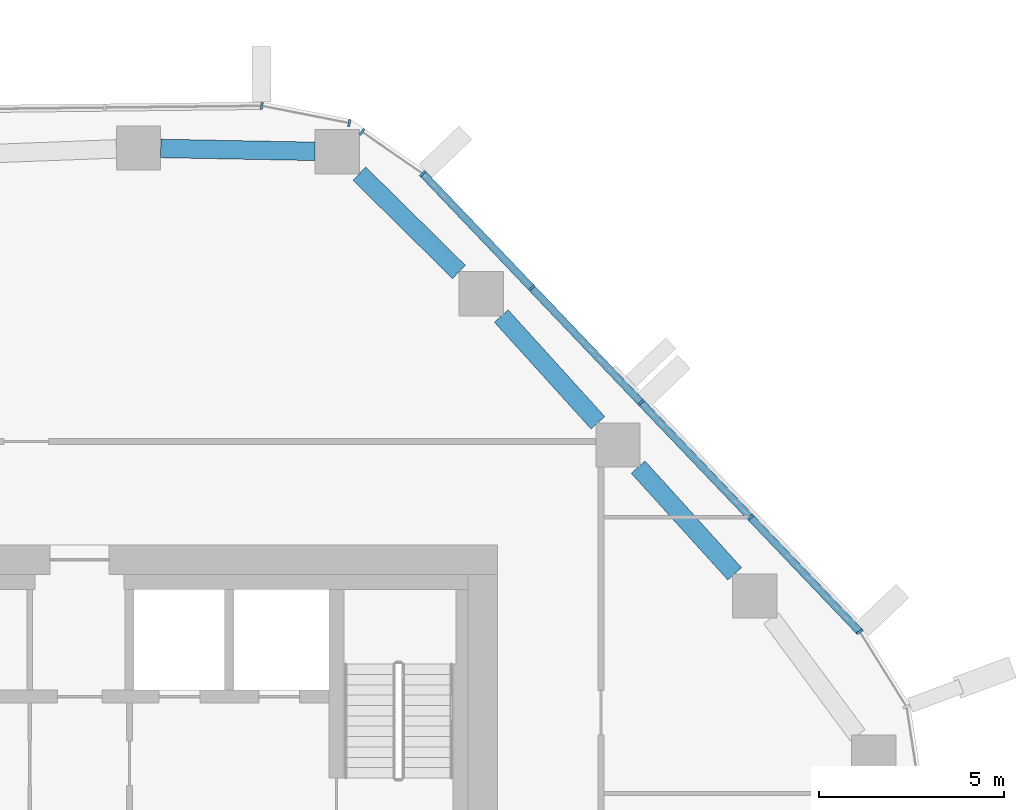
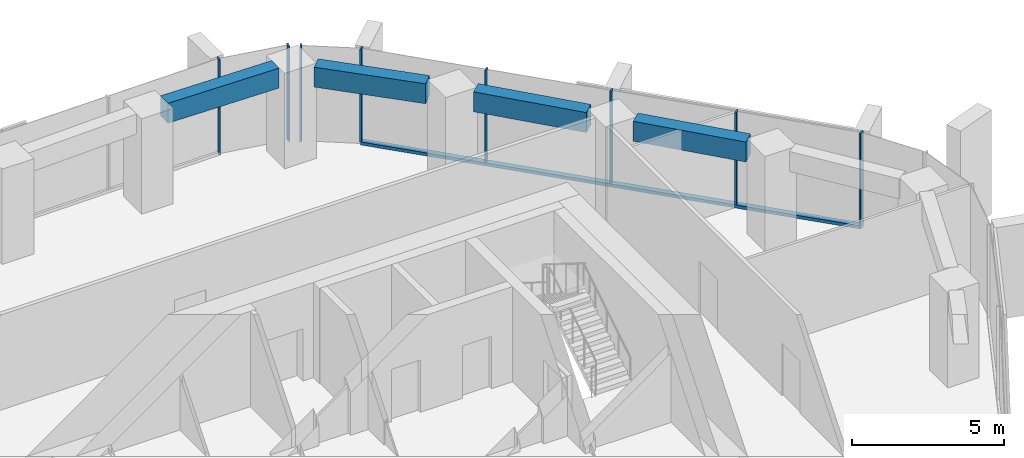
# One storey, part 6 of 17: 9 members, 4 beams, 4 elements without a shape of their own.
"""IFC4 building model written with IfcOpenShell, lengths in metres."""

from ifc_helpers import new_model, si_unit, direction, frame, origin, origin_2d, place, context, subcontext, project, spatial, rectangle, extrude, material, layer, layer_set, material_profile, profile_set, type_object, element, aggregate, save


model = new_model("IFC4")

# Units and contexts
model_context = context("Model", 3, precision=1e-05, world=origin(), true_north=direction((0.0, 1.0)))
body_context = subcontext(model_context, "Body", "Model", "MODEL_VIEW")
ifc_project = project(units=[si_unit("LENGTHUNIT", "METRE"), si_unit("AREAUNIT", "SQUARE_METRE"), si_unit("VOLUMEUNIT", "CUBIC_METRE"), si_unit("PLANEANGLEUNIT", "RADIAN"), si_unit("MASSUNIT", "GRAM", prefix="KILO")], contexts=[model_context])

# Site, building, storey
site_placement = place(None, origin())
site = spatial("IfcSite", under=ifc_project, at=site_placement, CompositionType="ELEMENT")
building_placement = place(site_placement, origin())
building = spatial("IfcBuilding", under=site, at=building_placement, Name="Dongbaek Canopy Tower", CompositionType="ELEMENT")
storey_placement = place(building_placement, frame((0.0, 0.0, 211.39990234375)))
storey = spatial("IfcBuildingStorey", under=building, at=storey_placement, Name="L44", CompositionType="ELEMENT", Elevation=211.39990234375)

# Curtain wall, member
ifc_material_1 = material(Name="Aluminium 6063-T6 pale anodised", Category="aluminium")
ifc_layer = layer(ifc_material_1, 0.199951171875)
ifc_layer_set = layer_set([ifc_layer], Name="CW-1 unitised tower curtain wall")
curtain_wall_type = type_object("IfcCurtainWallType", Name="CW-1 unitised tower curtain wall", PredefinedType="NOTDEFINED", material=ifc_layer_set)
curtain_wall_1_placement = place(storey_placement, origin())
curtain_wall_1 = element("IfcCurtainWall", 1, at=curtain_wall_1_placement, inside=storey, type_object=curtain_wall_type, Name="CW-1 curtain wall K0.1", PredefinedType="NOTDEFINED")
ifc_material_2 = material(Name="Aluminium 6063-T6 pale anodised", Category="aluminium")
ifc_material_profile_1 = material_profile(ifc_material_2, rectangle(XDim=0.199951171875, YDim=0.06005859375, at=origin_2d()), Name="CW-1 mullion 60 x 200")
ifc_profile_set_1 = profile_set([ifc_material_profile_1], Name="Aluminium 6063-T6 pale anodised")
member_type_1 = type_object("IfcMemberType", Name="CW-1 mullion 60 x 200", PredefinedType="MULLION", material=ifc_profile_set_1)
member_1_placement = place(storey_placement, frame((23.796630859375, 8.655517578125, 0.0), z_axis=(0.0, 0.0, 1.0), x_axis=(0.847881930828, 0.530185091619, 0.0)))
member_1 = element("IfcMember", 2, at=member_1_placement, type_object=member_type_1, Name="CW-1 mullion K0.1.4", PredefinedType="MULLION", context=body_context, shape_type="SweptSolid", body=[
    extrude(rectangle(XDim=0.199951171875, YDim=0.06005859375, at=origin_2d()), origin(), (0.0, 0.0, 1.0), 3.820068359375),
])
aggregate(curtain_wall_1, [member_1])

# Curtain wall, members
curtain_wall_2_placement = place(storey_placement, origin())
curtain_wall_2 = element("IfcCurtainWall", 3, at=curtain_wall_2_placement, inside=storey, type_object=curtain_wall_type, Name="CW-1 curtain wall F0.1", PredefinedType="NOTDEFINED")
member_2_placement = place(storey_placement, frame((20.845703125, 11.7490234375, 0.1201171875), z_axis=(0.0, 0.0, 1.0), x_axis=(0.723570657173, 0.690250319869, 0.0)))
member_2 = element("IfcMember", 4, at=member_2_placement, type_object=member_type_1, Name="CW-1 mullion F0.1.2", PredefinedType="MULLION", context=body_context, shape_type="SweptSolid", body=[
    extrude(rectangle(XDim=0.199951171875, YDim=0.06005859375, at=origin_2d()), origin(), (0.0, 0.0, 1.0), 3.699951171875),
])
member_3_placement = place(storey_placement, frame((17.887451171875, 14.849853515625, 0.1201171875), z_axis=(0.0, 0.0, 1.0), x_axis=(0.723570657173, 0.690250319869, 0.0)))
member_3 = element("IfcMember", 5, at=member_3_placement, type_object=member_type_1, Name="CW-1 mullion F0.1.3", PredefinedType="MULLION", context=body_context, shape_type="SweptSolid", body=[
    extrude(rectangle(XDim=0.199951171875, YDim=0.06005859375, at=origin_2d()), origin(), (0.0, 0.0, 1.0), 3.699951171875),
])
member_4_placement = place(storey_placement, frame((14.929443359375, 17.95068359375, 0.1201171875), z_axis=(0.0, 0.0, 1.0), x_axis=(0.723570657173, 0.690250319869, 0.0)))
member_4 = element("IfcMember", 6, at=member_4_placement, type_object=member_type_1, Name="CW-1 mullion F0.1.4", PredefinedType="MULLION", context=body_context, shape_type="SweptSolid", body=[
    extrude(rectangle(XDim=0.199951171875, YDim=0.06005859375, at=origin_2d()), origin(), (0.0, 0.0, 1.0), 3.699951171875),
])
member_5_placement = place(storey_placement, frame((11.978515625, 21.044189453125, 0.1201171875), z_axis=(0.0, 0.0, 1.0), x_axis=(0.723570657173, 0.690250319869, 0.0)))
member_5 = element("IfcMember", 7, at=member_5_placement, type_object=member_type_1, Name="CW-1 mullion F0.1.5", PredefinedType="MULLION", context=body_context, shape_type="SweptSolid", body=[
    extrude(rectangle(XDim=0.199951171875, YDim=0.06005859375, at=origin_2d()), origin(), (0.0, 0.0, 1.0), 3.699951171875),
])

# Curtain wall, member
curtain_wall_3_placement = place(storey_placement, origin())
curtain_wall_3 = element("IfcCurtainWall", 8, at=curtain_wall_3_placement, inside=storey, type_object=curtain_wall_type, Name="CW-1 curtain wall K1.1a", PredefinedType="NOTDEFINED")
member_6_placement = place(storey_placement, frame((10.33984375, 22.1748046875, 0.0), z_axis=(0.0, 0.0, 1.0), x_axis=(0.567897989586, 0.8230989451, 0.0)))
member_6 = element("IfcMember", 9, at=member_6_placement, type_object=member_type_1, Name="CW-1 mullion K1.1a.2", PredefinedType="MULLION", context=body_context, shape_type="SweptSolid", body=[
    extrude(rectangle(XDim=0.199951171875, YDim=0.06005859375, at=origin_2d()), origin(), (0.0, 0.0, 1.0), 3.820068359375),
])
aggregate(curtain_wall_3, [member_6])

# Curtain wall, members
curtain_wall_4_placement = place(storey_placement, origin())
curtain_wall_4 = element("IfcCurtainWall", 10, at=curtain_wall_4_placement, inside=storey, type_object=curtain_wall_type, Name="CW-1 curtain wall K1.1b", PredefinedType="NOTDEFINED")
member_7_placement = place(storey_placement, frame((9.993408203125, 22.413818359375, 0.0), z_axis=(0.0, 0.0, 1.0), x_axis=(0.192713471895, 0.981255072726, 0.0)))
member_7 = element("IfcMember", 11, at=member_7_placement, type_object=member_type_1, Name="CW-1 mullion K1.1b.1", PredefinedType="MULLION", context=body_context, shape_type="SweptSolid", body=[
    extrude(rectangle(XDim=0.199951171875, YDim=0.06005859375, at=origin_2d()), origin(), (0.0, 0.0, 1.0), 3.820068359375),
])
member_8_placement = place(storey_placement, frame((7.626708984375, 22.878662109375, 0.0), z_axis=(0.0, 0.0, 1.0), x_axis=(0.192713471895, 0.981255072726, 0.0)))
member_8 = element("IfcMember", 12, at=member_8_placement, type_object=member_type_1, Name="CW-1 mullion K1.1b.2", PredefinedType="MULLION", context=body_context, shape_type="SweptSolid", body=[
    extrude(rectangle(XDim=0.199951171875, YDim=0.06005859375, at=origin_2d()), origin(), (0.0, 0.0, 1.0), 3.820068359375),
])
aggregate(curtain_wall_4, [member_7, member_8])

# Member
ifc_material_3 = material(Name="Aluminium 6063-T6 pale anodised", Category="aluminium")
ifc_material_profile_2 = material_profile(ifc_material_3, rectangle(XDim=0.199951171875, YDim=0.1201171875, at=origin_2d()), Name="CW-1 transom 120 x 200")
ifc_profile_set_2 = profile_set([ifc_material_profile_2], Name="Aluminium 6063-T6 pale anodised")
member_type_2 = type_object("IfcMemberType", Name="CW-1 transom 120 x 200", PredefinedType="USERDEFINED", material=ifc_profile_set_2)
member_9_placement = place(storey_placement, frame((23.796630859375, 8.655517578125, 0.06005859375), z_axis=(-0.69024848922, 0.723572403516, 0.0), x_axis=(-0.723572403516, -0.69024848922, 0.0)))
member_9 = element("IfcMember", 13, at=member_9_placement, type_object=member_type_2, Name="CW-1 transom F0.1.1", ObjectType="TRANSOM", PredefinedType="USERDEFINED", context=body_context, shape_type="SweptSolid", body=[
    extrude(rectangle(XDim=0.199951171875, YDim=0.1201171875, at=origin_2d()), origin(), (0.0, 0.0, 1.0), 17.12158203125),
])

aggregate(curtain_wall_2, [member_2, member_3, member_4, member_5, member_9])

# Beams
ifc_material_4 = material(Name="Concrete C70", Category="concrete")
ifc_material_profile_3 = material_profile(ifc_material_4, rectangle(XDim=0.5, YDim=0.800048828125, at=origin_2d()), Name="RC EDGE BEAM 500x800 C70")
ifc_profile_set_3 = profile_set([ifc_material_profile_3], Name="Concrete C70")
beam_type = type_object("IfcBeamType", Name="RC EDGE BEAM 500x800 C70", PredefinedType="BEAM", material=ifc_profile_set_3)
beam_1_placement = place(storey_placement, frame((4.89501953125, 21.724609375, 3.420166015625), z_axis=(0.999823523871, -0.018786194753, 0.0), x_axis=(0.018786194753, 0.999823523871, 0.0)))
element("IfcBeam", 14, at=beam_1_placement, inside=storey, type_object=beam_type, Name="EDGEBEAM:L44:16", PredefinedType="BEAM", context=body_context, shape_type="SweptSolid", body=[
    extrude(rectangle(XDim=0.5, YDim=0.800048828125, at=origin_2d()), origin(), (0.0, 0.0, 1.0), 4.171630859375),
])
beam_2_placement = place(storey_placement, frame((10.26611328125, 21.04296875, 3.420166015625), z_axis=(0.711703560094, -0.702479923236, 0.0), x_axis=(0.702479923236, 0.711703560094, 0.0)))
element("IfcBeam", 15, at=beam_2_placement, inside=storey, type_object=beam_type, Name="EDGEBEAM:L44:17", PredefinedType="BEAM", context=body_context, shape_type="SweptSolid", body=[
    extrude(rectangle(XDim=0.5, YDim=0.800048828125, at=origin_2d()), origin(), (0.0, 0.0, 1.0), 3.78515625),
])
beam_3_placement = place(storey_placement, frame((14.103515625, 17.19189453125, 3.420166015625), z_axis=(0.67132037677, -0.741167289978, 0.0), x_axis=(0.741167289978, 0.67132037677, 0.0)))
element("IfcBeam", 16, at=beam_3_placement, inside=storey, type_object=beam_type, Name="EDGEBEAM:L44:18", PredefinedType="BEAM", context=body_context, shape_type="SweptSolid", body=[
    extrude(rectangle(XDim=0.5, YDim=0.800048828125, at=origin_2d()), origin(), (0.0, 0.0, 1.0), 3.893798828125),
])
beam_4_placement = place(storey_placement, frame((17.80419921875, 13.10595703125, 3.420166015625), z_axis=(0.671238468475, -0.741241471074, 0.0), x_axis=(0.741241471074, 0.671238468475, 0.0)))
element("IfcBeam", 17, at=beam_4_placement, inside=storey, type_object=beam_type, Name="EDGEBEAM:L44:19", PredefinedType="BEAM", context=body_context, shape_type="SweptSolid", body=[
    extrude(rectangle(XDim=0.5, YDim=0.800048828125, at=origin_2d()), origin(), (0.0, 0.0, 1.0), 3.89208984375),
])

save(model, "model.ifc")
